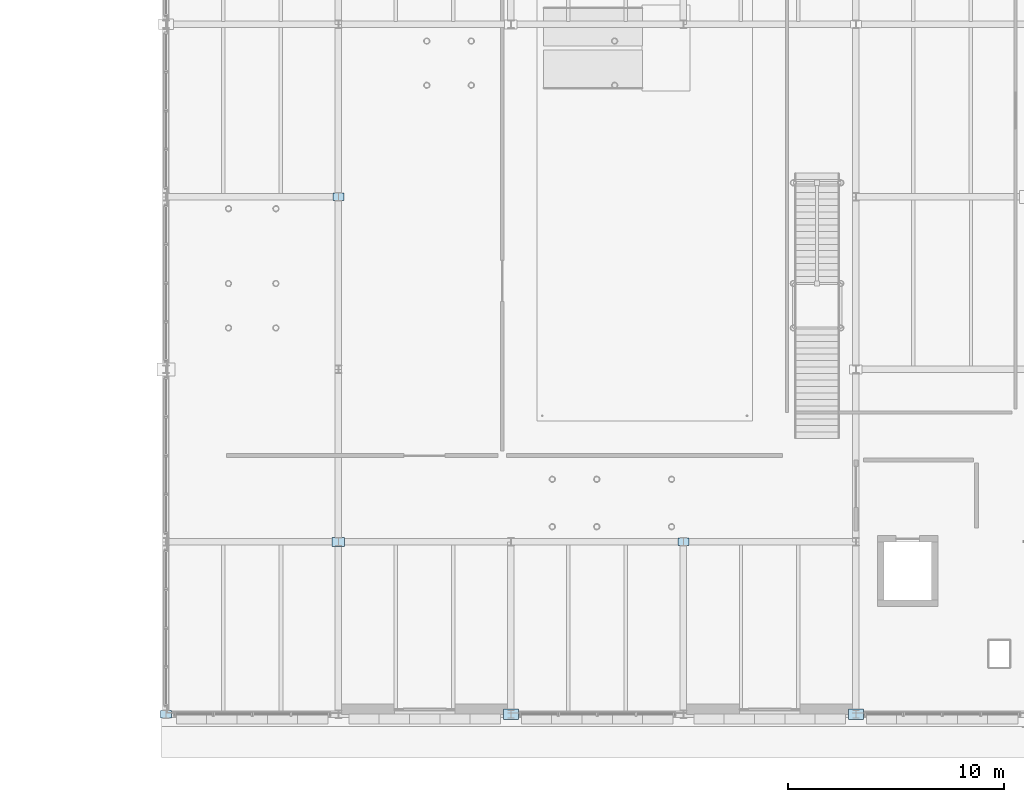
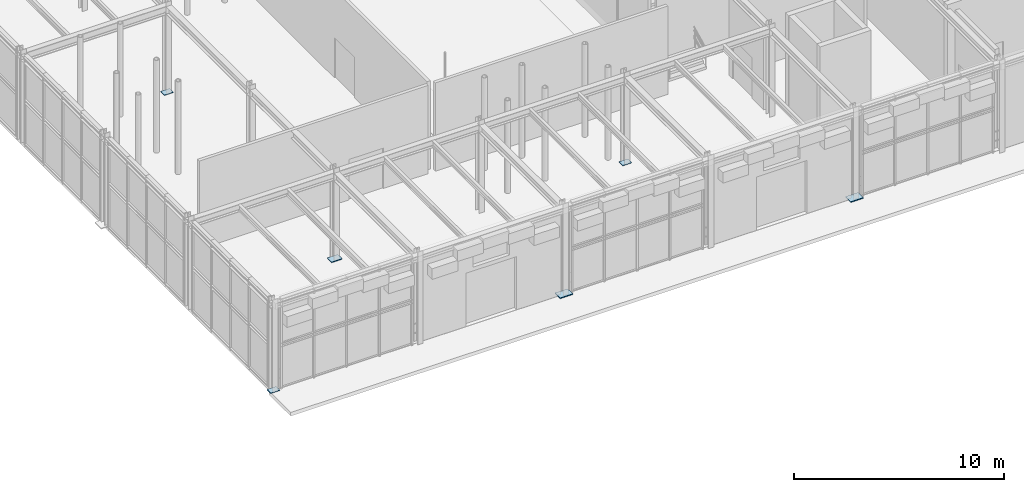
# One storey, part 65 of 129: 6 plates.
"""IFC4 building model written with IfcOpenShell, lengths in metres."""

from ifc_helpers import new_model, si_unit, direction, frame, origin, origin_2d, place, context, subcontext, project, spatial, rectangle, extrude, material, layer, layer_set, type_object, element, save


model = new_model("IFC4")

# Units and contexts
model_context = context("Model", 3, precision=1e-05, world=origin(), true_north=direction((0.0, 1.0)))
body_context = subcontext(model_context, "Body", "Model", "MODEL_VIEW")
ifc_project = project(units=[si_unit("LENGTHUNIT", "METRE"), si_unit("AREAUNIT", "SQUARE_METRE"), si_unit("VOLUMEUNIT", "CUBIC_METRE"), si_unit("PLANEANGLEUNIT", "RADIAN"), si_unit("MASSUNIT", "GRAM", prefix="KILO")], contexts=[model_context])

# Site, building, storey
site_placement = place(None, origin())
site = spatial("IfcSite", under=ifc_project, at=site_placement, CompositionType="ELEMENT")
building_placement = place(site_placement, origin())
building = spatial("IfcBuilding", under=site, at=building_placement, Name="Sundkrona Museum", CompositionType="ELEMENT")
storey_placement = place(building_placement, origin())
storey = spatial("IfcBuildingStorey", under=building, at=storey_placement, Name="L00", CompositionType="ELEMENT", Elevation=0.0)

# Plates
ifc_material = material(Name="Steel S355J2", Category="steel")
ifc_layer_1 = layer(ifc_material, 0.044921875)
ifc_layer_set_1 = layer_set([ifc_layer_1], Name="Steel S355J2")
plate_type_1 = type_object("IfcPlateType", Name="BP-2", PredefinedType="USERDEFINED", material=ifc_layer_set_1)
for number, where, z_axis, x_axis, name in (
    (1, (96.0, 0.0, 0.0), (0.0, 0.0, 1.0), (1.0, 0.0, 0.0), "Column Base Plate A/13"),
    (2, (112.0, 0.0, 0.0), (0.0, 0.0, 1.0), (1.0, 0.0, 0.0), "Column Base Plate A/15"),
):
    element("IfcPlate", number, at=place(storey_placement, frame(where, z_axis=z_axis, x_axis=x_axis)), inside=storey, type_object=plate_type_1, Name=name, ObjectType="GUSSET PLATE", PredefinedType="USERDEFINED", context=body_context, shape_type="SweptSolid", body=[
        extrude(rectangle(XDim=0.699951171875, YDim=0.5, at=origin_2d()), origin(), (0.0, 0.0, 1.0), 0.044921875),
    ])
ifc_layer_2 = layer(ifc_material, 0.0380859375)
ifc_layer_set_2 = layer_set([ifc_layer_2], Name="Steel S355J2")
plate_type_2 = type_object("IfcPlateType", Name="BP-3", PredefinedType="USERDEFINED", material=ifc_layer_set_2)
plate_placement = place(storey_placement, frame((88.0, 8.0, 0.0), z_axis=(0.0, 0.0, 1.0), x_axis=(1.0, 0.0, 0.0)))
element("IfcPlate", 3, at=plate_placement, inside=storey, type_object=plate_type_2, Name="Column Base Plate B/12", ObjectType="GUSSET PLATE", PredefinedType="USERDEFINED", context=body_context, shape_type="SweptSolid", body=[
    extrude(rectangle(XDim=0.580078125, YDim=0.419921875, at=origin_2d()), origin(), (0.0, 0.0, 1.0), 0.0380859375),
])
ifc_layer_3 = layer(ifc_material, 0.031982421875)
ifc_layer_set_3 = layer_set([ifc_layer_3], Name="Steel S355J2")
plate_type_3 = type_object("IfcPlateType", Name="BP-4", PredefinedType="USERDEFINED", material=ifc_layer_set_3)
for number, where, z_axis, x_axis, name in (
    (4, (80.0, 0.0, 0.0), (0.0, 0.0, 1.0), (1.0, 0.0, 0.0), "Column Base Plate A/11"),
    (5, (88.0, 24.0, 0.0), (0.0, 0.0, 1.0), (1.0, 0.0, 0.0), "Column Base Plate D/12"),
    (6, (104.0, 8.0, 0.0), (0.0, 0.0, 1.0), (1.0, 0.0, 0.0), "Column Base Plate B/14"),
):
    element("IfcPlate", number, at=place(storey_placement, frame(where, z_axis=z_axis, x_axis=x_axis)), inside=storey, type_object=plate_type_3, Name=name, ObjectType="GUSSET PLATE", PredefinedType="USERDEFINED", context=body_context, shape_type="SweptSolid", body=[
        extrude(rectangle(XDim=0.5, YDim=0.360107421875, at=origin_2d()), origin(), (0.0, 0.0, 1.0), 0.031982421875),
    ])

save(model, "model.ifc")
